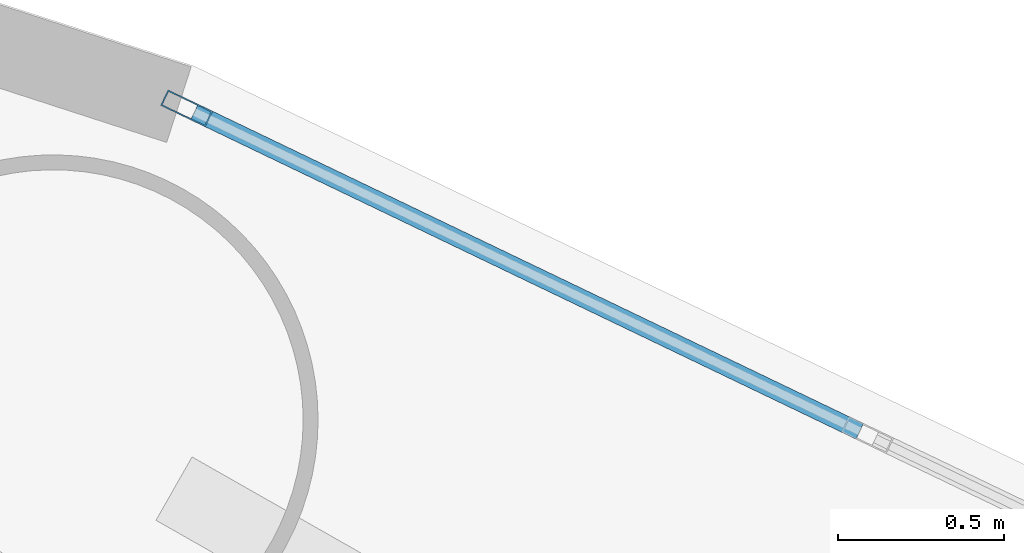
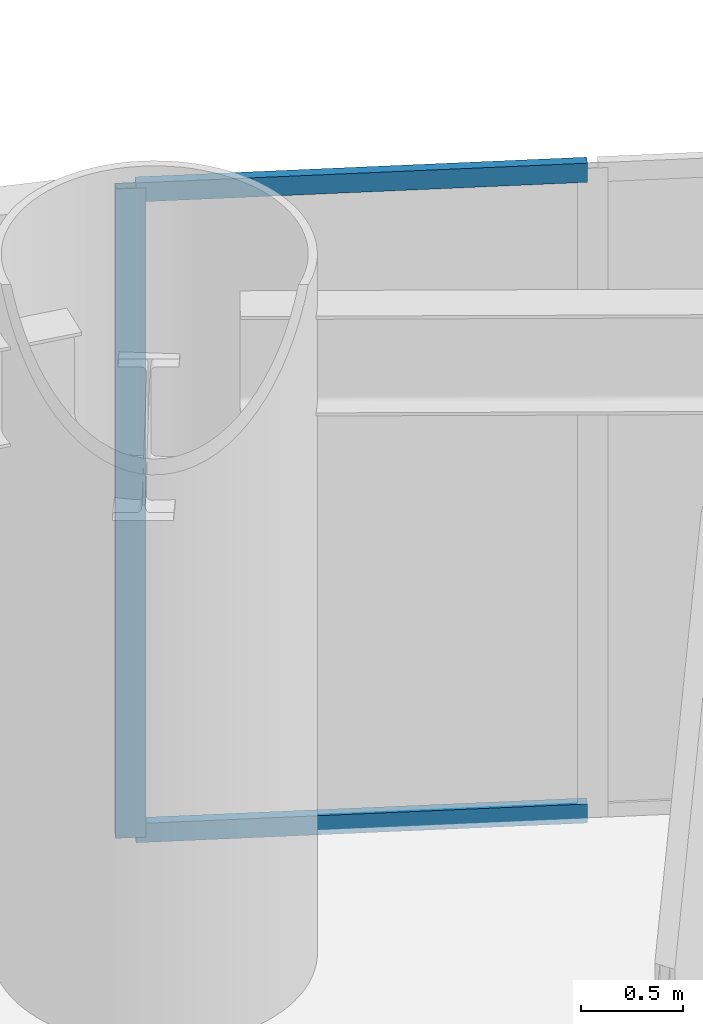
# One storey, part 4 of 21: 3 members, 1 element without a shape of its own.
"""IFC4 building model written with IfcOpenShell, lengths in metres."""

from ifc_helpers import new_model, si_unit, direction, frame, origin, origin_2d, place, context, subcontext, project, spatial, hollow_rectangle, extrude, source, transform, mapped, material, layer, layer_set, material_profile, profile_set, type_object, element, aggregate, save


model = new_model("IFC4")

# Units and contexts
model_context = context("Model", 3, precision=1e-05, world=origin(), true_north=direction((0.0, 1.0)))
body_context = subcontext(model_context, "Body", "Model", "MODEL_VIEW")
ifc_project = project(units=[si_unit("LENGTHUNIT", "METRE"), si_unit("AREAUNIT", "SQUARE_METRE"), si_unit("VOLUMEUNIT", "CUBIC_METRE"), si_unit("PLANEANGLEUNIT", "RADIAN"), si_unit("MASSUNIT", "GRAM", prefix="KILO")], contexts=[model_context])

# Site, building, storey
site_placement = place(None, origin())
site = spatial("IfcSite", under=ifc_project, at=site_placement, CompositionType="ELEMENT")
building_placement = place(site_placement, origin())
building = spatial("IfcBuilding", under=site, at=building_placement, Name="Linh Dai School and Residence Tower", CompositionType="ELEMENT")
storey_placement = place(building_placement, frame((0.0, 0.0, 82.800048828125)))
storey = spatial("IfcBuildingStorey", under=building, at=storey_placement, Name="L19", CompositionType="ELEMENT", Elevation=82.800048828125)

# Curtain wall, members
ifc_material_1 = material(Name="Aluminium Anodised Curtain Wall", Category="aluminium")
ifc_layer = layer(ifc_material_1, 0.14990234375)
ifc_layer_set = layer_set([ifc_layer], Name="Aluminium Anodised Curtain Wall")
curtain_wall_type = type_object("IfcCurtainWallType", Name="CW-SYS-4", PredefinedType="USERDEFINED", material=ifc_layer_set)
curtain_wall_placement = place(storey_placement, origin())
curtain_wall = element("IfcCurtainWall", 1, at=curtain_wall_placement, inside=storey, type_object=curtain_wall_type, Name="L19 CW4 Curtain Wall 07", ObjectType="RIBBON CURTAIN WALL", PredefinedType="USERDEFINED")
ifc_material_2 = material(Name="Aluminium Alloy 6063-T6", Category="aluminium")
ifc_material_profile_1 = material_profile(ifc_material_2, hollow_rectangle(XDim=0.052001953125, YDim=0.114990234375, WallThickness=0.00390625, at=origin_2d()), Name="RHS 115x52x4")
ifc_profile_set_1 = profile_set([ifc_material_profile_1], Name="Aluminium Alloy 6063-T6")
member_type_1 = type_object("IfcMemberType", Name="CW-SYS-4-TRN", PredefinedType="USERDEFINED", material=ifc_profile_set_1)
shared_shape_1 = source(origin(), body_context, "Body", "SweptSolid", [
    extrude(hollow_rectangle(XDim=0.052001953125, YDim=0.114990234375, WallThickness=0.00390625, at=origin_2d()), origin(), (0.0, 0.0, 1.0), 2.228271484375),
])
member_1_placement = place(storey_placement, frame((50.1650390625, 48.628662109375, 0.02587890625), z_axis=(0.901562375371, -0.432649145746, 0.0), x_axis=(0.432649145746, 0.901562375371, 0.0)))
member_1 = element("IfcMember", 2, at=member_1_placement, type_object=member_type_1, Name="CW4 transom 1.1", ObjectType="TRANSOM", PredefinedType="USERDEFINED", context=body_context, shape_type="MappedRepresentation", body=[
    mapped(shared_shape_1, transform((0.0, 0.0, 0.0), x_axis=(1.0, 0.0, 0.0), y_axis=(0.0, 1.0, 0.0), z_axis=(0.0, 0.0, 1.0), scale=1.0)),
])
member_2_placement = place(storey_placement, frame((50.1650390625, 48.628662109375, 3.8740234375), z_axis=(0.901562375371, -0.432649145746, 0.0), x_axis=(0.432649145746, 0.901562375371, 0.0)))
member_2 = element("IfcMember", 3, at=member_2_placement, type_object=member_type_1, Name="CW4 transom 1.2", ObjectType="TRANSOM", PredefinedType="USERDEFINED", context=body_context, shape_type="MappedRepresentation", body=[
    mapped(shared_shape_1, transform((0.0, 0.0, 0.0), x_axis=(1.0, 0.0, 0.0), y_axis=(0.0, 1.0, 0.0), z_axis=(0.0, 0.0, 1.0), scale=1.0)),
])
ifc_material_profile_2 = material_profile(ifc_material_2, hollow_rectangle(XDim=0.052001953125, YDim=0.14990234375, WallThickness=0.00390625, at=origin_2d()), Name="RHS 150x52x4")
ifc_profile_set_2 = profile_set([ifc_material_profile_2], Name="Aluminium Alloy 6063-T6")
member_type_2 = type_object("IfcMemberType", Name="CW-SYS-4-MUL", PredefinedType="MULLION", material=ifc_profile_set_2)
shared_shape_2 = source(origin(), body_context, "Body", "SweptSolid", [
    extrude(hollow_rectangle(XDim=0.052001953125, YDim=0.14990234375, WallThickness=0.00390625, at=origin_2d()), origin(), (0.0, 0.0, 1.0), 3.89990234375),
])
member_3_placement = place(storey_placement, frame((50.1416015625, 48.639892578125, 0.0), z_axis=(0.0, 0.0, 1.0), x_axis=(0.432603008528, 0.901584514626, 0.0)))
member_3 = element("IfcMember", 4, at=member_3_placement, type_object=member_type_2, Name="CW4 mullion 1", PredefinedType="MULLION", context=body_context, shape_type="MappedRepresentation", body=[
    mapped(shared_shape_2, transform((0.0, 0.0, 0.0), x_axis=(1.0, 0.0, 0.0), y_axis=(0.0, 1.0, 0.0), z_axis=(0.0, 0.0, 1.0), scale=1.0)),
])
aggregate(curtain_wall, [member_3, member_1, member_2])

save(model, "model.ifc")
